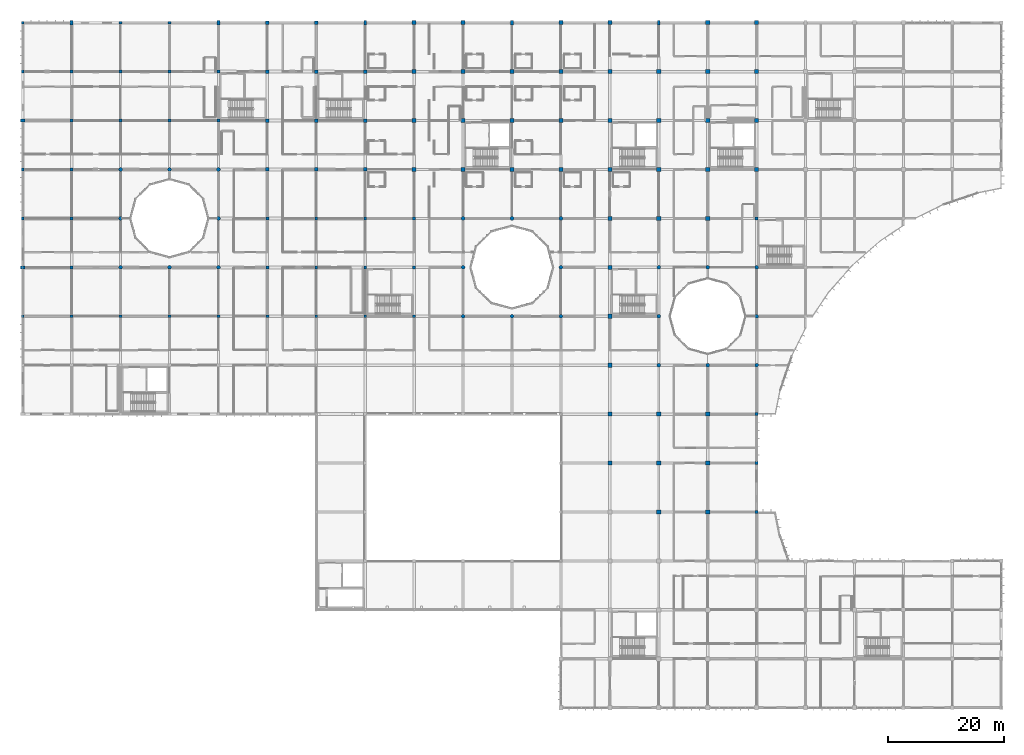
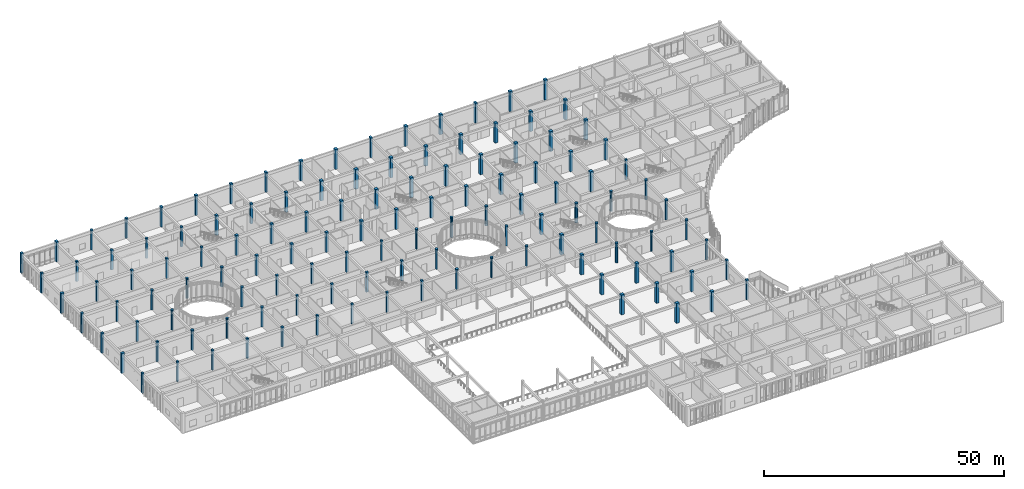
# One storey, part 7 of 134: 124 columns.
"""IFC4 building model written with IfcOpenShell, lengths in metres."""

from ifc_helpers import new_model, si_unit, direction, frame, origin, origin_2d, place, context, subcontext, project, spatial, rectangle, circle, extrude, material, material_profile, profile_set, type_object, element, save


model = new_model("IFC4")

# Units and contexts
model_context = context("Model", 3, precision=1e-05, world=origin(), true_north=direction((0.0, 1.0)))
body_context = subcontext(model_context, "Body", "Model", "MODEL_VIEW")
ifc_project = project(units=[si_unit("LENGTHUNIT", "METRE"), si_unit("AREAUNIT", "SQUARE_METRE"), si_unit("VOLUMEUNIT", "CUBIC_METRE"), si_unit("PLANEANGLEUNIT", "RADIAN"), si_unit("MASSUNIT", "GRAM", prefix="KILO")], contexts=[model_context])

# Site, building, storey
site_placement = place(None, origin())
site = spatial("IfcSite", under=ifc_project, at=site_placement, CompositionType="ELEMENT")
building_placement = place(site_placement, origin())
building = spatial("IfcBuilding", under=site, at=building_placement, Name="Bramfleet General Hospital", CompositionType="ELEMENT")
storey_placement = place(building_placement, frame((0.0, 0.0, 9.300048828125)))
storey = spatial("IfcBuildingStorey", under=building, at=storey_placement, Name="L02", CompositionType="ELEMENT", Elevation=9.300048828125)

# Columns
ifc_material = material(Name="Concrete C40/50", Category="concrete")
ifc_material_profile_1 = material_profile(ifc_material, rectangle(XDim=0.5, YDim=0.75, at=origin_2d()), Name="RC PIL 750x500")
ifc_profile_set_1 = profile_set([ifc_material_profile_1], Name="Concrete C40/50")
column_type_1 = type_object("IfcColumnType", Name="COL-PIL750", PredefinedType="PILASTER", material=ifc_profile_set_1)
for number, where, z_axis, x_axis, name in (
    (1, (0.0, 75.60009765625, 0.0), (0.0, 0.0, 1.0), (0.0, 1.0, 0.0), "Column COL-L02-00-09"),
    (2, (0.0, 100.800048828125, 0.0), (0.0, 0.0, 1.0), (0.0, 1.0, 0.0), "Column COL-L02-00-12"),
    (3, (8.39990234375, 117.60009765625, 0.0), (0.0, 0.0, 1.0), (1.0, 0.0, 0.0), "Column COL-L02-01-14"),
    (4, (33.60009765625, 117.60009765625, 0.0), (0.0, 0.0, 1.0), (1.0, 0.0, 0.0), "Column COL-L02-04-14"),
    (5, (58.800048828125, 117.60009765625, 0.0), (0.0, 0.0, 1.0), (1.0, 0.0, 0.0), "Column COL-L02-07-14"),
    (6, (84.0, 117.60009765625, 0.0), (0.0, 0.0, 1.0), (1.0, 0.0, 0.0), "Column COL-L02-10-14"),
    (7, (109.199951171875, 117.60009765625, 0.0), (0.0, 0.0, 1.0), (1.0, 0.0, 0.0), "Column COL-L02-13-14"),
):
    element("IfcColumn", number, at=place(storey_placement, frame(where, z_axis=z_axis, x_axis=x_axis)), inside=storey, type_object=column_type_1, Name=name, PredefinedType="PILASTER", context=body_context, shape_type="SweptSolid", body=[
        extrude(rectangle(XDim=0.5, YDim=0.75, at=origin_2d()), origin(), (0.0, 0.0, 1.0), 5.099853515625),
    ])
ifc_material_profile_2 = material_profile(ifc_material, rectangle(XDim=0.5, YDim=0.5, at=origin_2d()), Name="RC COL 500x500")
ifc_profile_set_2 = profile_set([ifc_material_profile_2], Name="Concrete C40/50")
column_type_2 = type_object("IfcColumnType", Name="COL-RC500", PredefinedType="COLUMN", material=ifc_profile_set_2)
for number, where, z_axis, x_axis, name in (
    (8, (0.0, 67.199951171875, 0.0), (0.0, 0.0, 1.0), (1.0, 0.0, 0.0), "Column COL-L02-00-08"),
    (9, (0.0, 84.0, 0.0), (0.0, 0.0, 1.0), (1.0, 0.0, 0.0), "Column COL-L02-00-10"),
    (10, (0.0, 92.39990234375, 0.0), (0.0, 0.0, 1.0), (1.0, 0.0, 0.0), "Column COL-L02-00-11"),
    (11, (0.0, 109.199951171875, 0.0), (0.0, 0.0, 1.0), (1.0, 0.0, 0.0), "Column COL-L02-00-13"),
    (12, (0.0, 117.60009765625, 0.0), (0.0, 0.0, 1.0), (1.0, 0.0, 0.0), "Column COL-L02-00-14"),
    (13, (8.39990234375, 67.199951171875, 0.0), (0.0, 0.0, 1.0), (1.0, 0.0, 0.0), "Column COL-L02-01-08"),
    (14, (8.39990234375, 75.60009765625, 0.0), (0.0, 0.0, 1.0), (1.0, 0.0, 0.0), "Column COL-L02-01-09"),
    (15, (8.39990234375, 84.0, 0.0), (0.0, 0.0, 1.0), (1.0, 0.0, 0.0), "Column COL-L02-01-10"),
    (16, (8.39990234375, 92.39990234375, 0.0), (0.0, 0.0, 1.0), (1.0, 0.0, 0.0), "Column COL-L02-01-11"),
    (17, (8.39990234375, 100.800048828125, 0.0), (0.0, 0.0, 1.0), (1.0, 0.0, 0.0), "Column COL-L02-01-12"),
    (18, (8.39990234375, 109.199951171875, 0.0), (0.0, 0.0, 1.0), (1.0, 0.0, 0.0), "Column COL-L02-01-13"),
    (19, (16.800048828125, 67.199951171875, 0.0), (0.0, 0.0, 1.0), (1.0, 0.0, 0.0), "Column COL-L02-02-08"),
    (20, (16.800048828125, 100.800048828125, 0.0), (0.0, 0.0, 1.0), (1.0, 0.0, 0.0), "Column COL-L02-02-12"),
    (21, (16.800048828125, 109.199951171875, 0.0), (0.0, 0.0, 1.0), (1.0, 0.0, 0.0), "Column COL-L02-02-13"),
    (22, (16.800048828125, 117.60009765625, 0.0), (0.0, 0.0, 1.0), (1.0, 0.0, 0.0), "Column COL-L02-02-14"),
    (23, (25.199951171875, 67.199951171875, 0.0), (0.0, 0.0, 1.0), (1.0, 0.0, 0.0), "Column COL-L02-03-08"),
    (24, (25.199951171875, 100.800048828125, 0.0), (0.0, 0.0, 1.0), (1.0, 0.0, 0.0), "Column COL-L02-03-12"),
    (25, (25.199951171875, 109.199951171875, 0.0), (0.0, 0.0, 1.0), (1.0, 0.0, 0.0), "Column COL-L02-03-13"),
    (26, (25.199951171875, 117.60009765625, 0.0), (0.0, 0.0, 1.0), (1.0, 0.0, 0.0), "Column COL-L02-03-14"),
    (27, (33.60009765625, 67.199951171875, 0.0), (0.0, 0.0, 1.0), (1.0, 0.0, 0.0), "Column COL-L02-04-08"),
    (28, (33.60009765625, 100.800048828125, 0.0), (0.0, 0.0, 1.0), (1.0, 0.0, 0.0), "Column COL-L02-04-12"),
    (29, (33.60009765625, 109.199951171875, 0.0), (0.0, 0.0, 1.0), (1.0, 0.0, 0.0), "Column COL-L02-04-13"),
    (30, (42.0, 67.199951171875, 0.0), (0.0, 0.0, 1.0), (1.0, 0.0, 0.0), "Column COL-L02-05-08"),
    (31, (42.0, 75.60009765625, 0.0), (0.0, 0.0, 1.0), (1.0, 0.0, 0.0), "Column COL-L02-05-09"),
    (32, (42.0, 84.0, 0.0), (0.0, 0.0, 1.0), (1.0, 0.0, 0.0), "Column COL-L02-05-10"),
    (33, (50.39990234375, 67.199951171875, 0.0), (0.0, 0.0, 1.0), (1.0, 0.0, 0.0), "Column COL-L02-06-08"),
    (34, (50.39990234375, 75.60009765625, 0.0), (0.0, 0.0, 1.0), (1.0, 0.0, 0.0), "Column COL-L02-06-09"),
    (35, (50.39990234375, 84.0, 0.0), (0.0, 0.0, 1.0), (1.0, 0.0, 0.0), "Column COL-L02-06-10"),
    (36, (58.800048828125, 67.199951171875, 0.0), (0.0, 0.0, 1.0), (1.0, 0.0, 0.0), "Column COL-L02-07-08"),
    (37, (58.800048828125, 75.60009765625, 0.0), (0.0, 0.0, 1.0), (1.0, 0.0, 0.0), "Column COL-L02-07-09"),
    (38, (58.800048828125, 84.0, 0.0), (0.0, 0.0, 1.0), (1.0, 0.0, 0.0), "Column COL-L02-07-10"),
    (39, (67.199951171875, 67.199951171875, 0.0), (0.0, 0.0, 1.0), (1.0, 0.0, 0.0), "Column COL-L02-08-08"),
    (40, (67.199951171875, 75.60009765625, 0.0), (0.0, 0.0, 1.0), (1.0, 0.0, 0.0), "Column COL-L02-08-09"),
    (41, (67.199951171875, 84.0, 0.0), (0.0, 0.0, 1.0), (1.0, 0.0, 0.0), "Column COL-L02-08-10"),
    (42, (126.0, 33.60009765625, 0.0), (0.0, 0.0, 1.0), (1.0, 0.0, 0.0), "Column COL-L02-15-04"),
    (43, (126.0, 42.0, 0.0), (0.0, 0.0, 1.0), (1.0, 0.0, 0.0), "Column COL-L02-15-05"),
    (44, (126.0, 50.39990234375, 0.0), (0.0, 0.0, 1.0), (1.0, 0.0, 0.0), "Column COL-L02-15-06"),
    (45, (126.0, 84.0, 0.0), (0.0, 0.0, 1.0), (1.0, 0.0, 0.0), "Column COL-L02-15-10"),
):
    element("IfcColumn", number, at=place(storey_placement, frame(where, z_axis=z_axis, x_axis=x_axis)), inside=storey, type_object=column_type_2, Name=name, PredefinedType="COLUMN", context=body_context, shape_type="SweptSolid", body=[
        extrude(rectangle(XDim=0.5, YDim=0.5, at=origin_2d()), origin(), (0.0, 0.0, 1.0), 5.099853515625),
    ])
ifc_material_profile_3 = material_profile(ifc_material, rectangle(XDim=0.60009765625, YDim=0.60009765625, at=origin_2d()), Name="RC COL 600x600")
ifc_profile_set_3 = profile_set([ifc_material_profile_3], Name="Concrete C40/50")
column_type_3 = type_object("IfcColumnType", Name="COL-RC600", PredefinedType="COLUMN", material=ifc_profile_set_3)
for number, where, z_axis, x_axis, name in (
    (46, (42.0, 92.39990234375, 0.0), (0.0, 0.0, 1.0), (1.0, 0.0, 0.0), "Column COL-L02-05-11"),
    (47, (42.0, 100.800048828125, 0.0), (0.0, 0.0, 1.0), (1.0, 0.0, 0.0), "Column COL-L02-05-12"),
    (48, (42.0, 109.199951171875, 0.0), (0.0, 0.0, 1.0), (1.0, 0.0, 0.0), "Column COL-L02-05-13"),
    (49, (42.0, 117.60009765625, 0.0), (0.0, 0.0, 1.0), (1.0, 0.0, 0.0), "Column COL-L02-05-14"),
    (50, (50.39990234375, 92.39990234375, 0.0), (0.0, 0.0, 1.0), (1.0, 0.0, 0.0), "Column COL-L02-06-11"),
    (51, (50.39990234375, 100.800048828125, 0.0), (0.0, 0.0, 1.0), (1.0, 0.0, 0.0), "Column COL-L02-06-12"),
    (52, (50.39990234375, 109.199951171875, 0.0), (0.0, 0.0, 1.0), (1.0, 0.0, 0.0), "Column COL-L02-06-13"),
    (53, (50.39990234375, 117.60009765625, 0.0), (0.0, 0.0, 1.0), (1.0, 0.0, 0.0), "Column COL-L02-06-14"),
    (54, (58.800048828125, 92.39990234375, 0.0), (0.0, 0.0, 1.0), (1.0, 0.0, 0.0), "Column COL-L02-07-11"),
    (55, (58.800048828125, 100.800048828125, 0.0), (0.0, 0.0, 1.0), (1.0, 0.0, 0.0), "Column COL-L02-07-12"),
    (56, (58.800048828125, 109.199951171875, 0.0), (0.0, 0.0, 1.0), (1.0, 0.0, 0.0), "Column COL-L02-07-13"),
):
    element("IfcColumn", number, at=place(storey_placement, frame(where, z_axis=z_axis, x_axis=x_axis)), inside=storey, type_object=column_type_3, Name=name, PredefinedType="COLUMN", context=body_context, shape_type="SweptSolid", body=[
        extrude(rectangle(XDim=0.60009765625, YDim=0.60009765625, at=origin_2d()), origin(), (0.0, 0.0, 1.0), 5.099853515625),
    ])
ifc_material_profile_4 = material_profile(ifc_material, rectangle(XDim=0.699951171875, YDim=0.699951171875, at=origin_2d()), Name="RC COL 700x700")
ifc_profile_set_4 = profile_set([ifc_material_profile_4], Name="Concrete C40/50")
column_type_4 = type_object("IfcColumnType", Name="COL-RC700", PredefinedType="COLUMN", material=ifc_profile_set_4)
for number, where, z_axis, x_axis, name in (
    (57, (67.199951171875, 92.39990234375, 0.0), (0.0, 0.0, 1.0), (1.0, 0.0, 0.0), "Column COL-L02-08-11"),
    (58, (67.199951171875, 100.800048828125, 0.0), (0.0, 0.0, 1.0), (1.0, 0.0, 0.0), "Column COL-L02-08-12"),
    (59, (67.199951171875, 109.199951171875, 0.0), (0.0, 0.0, 1.0), (1.0, 0.0, 0.0), "Column COL-L02-08-13"),
    (60, (67.199951171875, 117.60009765625, 0.0), (0.0, 0.0, 1.0), (1.0, 0.0, 0.0), "Column COL-L02-08-14"),
    (61, (75.60009765625, 92.39990234375, 0.0), (0.0, 0.0, 1.0), (1.0, 0.0, 0.0), "Column COL-L02-09-11"),
    (62, (75.60009765625, 100.800048828125, 0.0), (0.0, 0.0, 1.0), (1.0, 0.0, 0.0), "Column COL-L02-09-12"),
    (63, (75.60009765625, 109.199951171875, 0.0), (0.0, 0.0, 1.0), (1.0, 0.0, 0.0), "Column COL-L02-09-13"),
    (64, (75.60009765625, 117.60009765625, 0.0), (0.0, 0.0, 1.0), (1.0, 0.0, 0.0), "Column COL-L02-09-14"),
    (65, (84.0, 92.39990234375, 0.0), (0.0, 0.0, 1.0), (1.0, 0.0, 0.0), "Column COL-L02-10-11"),
    (66, (84.0, 100.800048828125, 0.0), (0.0, 0.0, 1.0), (1.0, 0.0, 0.0), "Column COL-L02-10-12"),
    (67, (84.0, 109.199951171875, 0.0), (0.0, 0.0, 1.0), (1.0, 0.0, 0.0), "Column COL-L02-10-13"),
    (68, (92.39990234375, 92.39990234375, 0.0), (0.0, 0.0, 1.0), (1.0, 0.0, 0.0), "Column COL-L02-11-11"),
    (69, (92.39990234375, 100.800048828125, 0.0), (0.0, 0.0, 1.0), (1.0, 0.0, 0.0), "Column COL-L02-11-12"),
    (70, (92.39990234375, 109.199951171875, 0.0), (0.0, 0.0, 1.0), (1.0, 0.0, 0.0), "Column COL-L02-11-13"),
    (71, (92.39990234375, 117.60009765625, 0.0), (0.0, 0.0, 1.0), (1.0, 0.0, 0.0), "Column COL-L02-11-14"),
    (72, (100.800048828125, 42.0, 0.0), (0.0, 0.0, 1.0), (1.0, 0.0, 0.0), "Column COL-L02-12-05"),
    (73, (100.800048828125, 50.39990234375, 0.0), (0.0, 0.0, 1.0), (1.0, 0.0, 0.0), "Column COL-L02-12-06"),
    (74, (100.800048828125, 58.800048828125, 0.0), (0.0, 0.0, 1.0), (1.0, 0.0, 0.0), "Column COL-L02-12-07"),
    (75, (100.800048828125, 67.199951171875, 0.0), (0.0, 0.0, 1.0), (1.0, 0.0, 0.0), "Column COL-L02-12-08"),
    (76, (100.800048828125, 75.60009765625, 0.0), (0.0, 0.0, 1.0), (1.0, 0.0, 0.0), "Column COL-L02-12-09"),
    (77, (100.800048828125, 84.0, 0.0), (0.0, 0.0, 1.0), (1.0, 0.0, 0.0), "Column COL-L02-12-10"),
    (78, (100.800048828125, 92.39990234375, 0.0), (0.0, 0.0, 1.0), (1.0, 0.0, 0.0), "Column COL-L02-12-11"),
    (79, (100.800048828125, 100.800048828125, 0.0), (0.0, 0.0, 1.0), (1.0, 0.0, 0.0), "Column COL-L02-12-12"),
    (80, (100.800048828125, 109.199951171875, 0.0), (0.0, 0.0, 1.0), (1.0, 0.0, 0.0), "Column COL-L02-12-13"),
    (81, (100.800048828125, 117.60009765625, 0.0), (0.0, 0.0, 1.0), (1.0, 0.0, 0.0), "Column COL-L02-12-14"),
    (82, (109.199951171875, 33.60009765625, 0.0), (0.0, 0.0, 1.0), (1.0, 0.0, 0.0), "Column COL-L02-13-04"),
    (83, (109.199951171875, 42.0, 0.0), (0.0, 0.0, 1.0), (1.0, 0.0, 0.0), "Column COL-L02-13-05"),
    (84, (109.199951171875, 50.39990234375, 0.0), (0.0, 0.0, 1.0), (1.0, 0.0, 0.0), "Column COL-L02-13-06"),
    (85, (109.199951171875, 84.0, 0.0), (0.0, 0.0, 1.0), (1.0, 0.0, 0.0), "Column COL-L02-13-10"),
    (86, (109.199951171875, 92.39990234375, 0.0), (0.0, 0.0, 1.0), (1.0, 0.0, 0.0), "Column COL-L02-13-11"),
    (87, (109.199951171875, 100.800048828125, 0.0), (0.0, 0.0, 1.0), (1.0, 0.0, 0.0), "Column COL-L02-13-12"),
    (88, (109.199951171875, 109.199951171875, 0.0), (0.0, 0.0, 1.0), (1.0, 0.0, 0.0), "Column COL-L02-13-13"),
    (89, (117.60009765625, 33.60009765625, 0.0), (0.0, 0.0, 1.0), (1.0, 0.0, 0.0), "Column COL-L02-14-04"),
    (90, (117.60009765625, 42.0, 0.0), (0.0, 0.0, 1.0), (1.0, 0.0, 0.0), "Column COL-L02-14-05"),
    (91, (117.60009765625, 50.39990234375, 0.0), (0.0, 0.0, 1.0), (1.0, 0.0, 0.0), "Column COL-L02-14-06"),
    (92, (117.60009765625, 84.0, 0.0), (0.0, 0.0, 1.0), (1.0, 0.0, 0.0), "Column COL-L02-14-10"),
    (93, (117.60009765625, 92.39990234375, 0.0), (0.0, 0.0, 1.0), (1.0, 0.0, 0.0), "Column COL-L02-14-11"),
    (94, (117.60009765625, 100.800048828125, 0.0), (0.0, 0.0, 1.0), (1.0, 0.0, 0.0), "Column COL-L02-14-12"),
    (95, (117.60009765625, 109.199951171875, 0.0), (0.0, 0.0, 1.0), (1.0, 0.0, 0.0), "Column COL-L02-14-13"),
    (96, (117.60009765625, 117.60009765625, 0.0), (0.0, 0.0, 1.0), (1.0, 0.0, 0.0), "Column COL-L02-14-14"),
    (97, (126.0, 92.39990234375, 0.0), (0.0, 0.0, 1.0), (1.0, 0.0, 0.0), "Column COL-L02-15-11"),
    (98, (126.0, 100.800048828125, 0.0), (0.0, 0.0, 1.0), (1.0, 0.0, 0.0), "Column COL-L02-15-12"),
    (99, (126.0, 109.199951171875, 0.0), (0.0, 0.0, 1.0), (1.0, 0.0, 0.0), "Column COL-L02-15-13"),
    (100, (126.0, 117.60009765625, 0.0), (0.0, 0.0, 1.0), (1.0, 0.0, 0.0), "Column COL-L02-15-14"),
):
    element("IfcColumn", number, at=place(storey_placement, frame(where, z_axis=z_axis, x_axis=x_axis)), inside=storey, type_object=column_type_4, Name=name, PredefinedType="COLUMN", context=body_context, shape_type="SweptSolid", body=[
        extrude(rectangle(XDim=0.699951171875, YDim=0.699951171875, at=origin_2d()), origin(), (0.0, 0.0, 1.0), 5.099853515625),
    ])
ifc_material_profile_5 = material_profile(ifc_material, circle(Radius=0.324951171875, at=origin_2d()), Name="RC ROUND D650")
ifc_profile_set_5 = profile_set([ifc_material_profile_5], Name="Concrete C40/50")
column_type_5 = type_object("IfcColumnType", Name="COL-RCD650", PredefinedType="COLUMN", material=ifc_profile_set_5)
for number, where, z_axis, x_axis, name in (
    (101, (16.800048828125, 75.60009765625, 0.0), (0.0, 0.0, 1.0), (1.0, 0.0, 0.0), "Column COL-L02-02-09"),
    (102, (16.800048828125, 84.0, 0.0), (0.0, 0.0, 1.0), (1.0, 0.0, 0.0), "Column COL-L02-02-10"),
    (103, (16.800048828125, 92.39990234375, 0.0), (0.0, 0.0, 1.0), (1.0, 0.0, 0.0), "Column COL-L02-02-11"),
    (104, (25.199951171875, 75.60009765625, 0.0), (0.0, 0.0, 1.0), (1.0, 0.0, 0.0), "Column COL-L02-03-09"),
    (105, (25.199951171875, 92.39990234375, 0.0), (0.0, 0.0, 1.0), (1.0, 0.0, 0.0), "Column COL-L02-03-11"),
    (106, (33.60009765625, 75.60009765625, 0.0), (0.0, 0.0, 1.0), (1.0, 0.0, 0.0), "Column COL-L02-04-09"),
    (107, (33.60009765625, 84.0, 0.0), (0.0, 0.0, 1.0), (1.0, 0.0, 0.0), "Column COL-L02-04-10"),
    (108, (33.60009765625, 92.39990234375, 0.0), (0.0, 0.0, 1.0), (1.0, 0.0, 0.0), "Column COL-L02-04-11"),
    (109, (75.60009765625, 67.199951171875, 0.0), (0.0, 0.0, 1.0), (1.0, 0.0, 0.0), "Column COL-L02-09-08"),
    (110, (75.60009765625, 75.60009765625, 0.0), (0.0, 0.0, 1.0), (1.0, 0.0, 0.0), "Column COL-L02-09-09"),
    (111, (75.60009765625, 84.0, 0.0), (0.0, 0.0, 1.0), (1.0, 0.0, 0.0), "Column COL-L02-09-10"),
    (112, (84.0, 67.199951171875, 0.0), (0.0, 0.0, 1.0), (1.0, 0.0, 0.0), "Column COL-L02-10-08"),
    (113, (84.0, 84.0, 0.0), (0.0, 0.0, 1.0), (1.0, 0.0, 0.0), "Column COL-L02-10-10"),
    (114, (92.39990234375, 67.199951171875, 0.0), (0.0, 0.0, 1.0), (1.0, 0.0, 0.0), "Column COL-L02-11-08"),
    (115, (92.39990234375, 75.60009765625, 0.0), (0.0, 0.0, 1.0), (1.0, 0.0, 0.0), "Column COL-L02-11-09"),
    (116, (92.39990234375, 84.0, 0.0), (0.0, 0.0, 1.0), (1.0, 0.0, 0.0), "Column COL-L02-11-10"),
    (117, (109.199951171875, 58.800048828125, 0.0), (0.0, 0.0, 1.0), (1.0, 0.0, 0.0), "Column COL-L02-13-07"),
    (118, (109.199951171875, 67.199951171875, 0.0), (0.0, 0.0, 1.0), (1.0, 0.0, 0.0), "Column COL-L02-13-08"),
    (119, (109.199951171875, 75.60009765625, 0.0), (0.0, 0.0, 1.0), (1.0, 0.0, 0.0), "Column COL-L02-13-09"),
    (120, (117.60009765625, 58.800048828125, 0.0), (0.0, 0.0, 1.0), (1.0, 0.0, 0.0), "Column COL-L02-14-07"),
    (121, (117.60009765625, 75.60009765625, 0.0), (0.0, 0.0, 1.0), (1.0, 0.0, 0.0), "Column COL-L02-14-09"),
    (122, (126.0, 58.800048828125, 0.0), (0.0, 0.0, 1.0), (1.0, 0.0, 0.0), "Column COL-L02-15-07"),
    (123, (126.0, 67.199951171875, 0.0), (0.0, 0.0, 1.0), (1.0, 0.0, 0.0), "Column COL-L02-15-08"),
    (124, (126.0, 75.60009765625, 0.0), (0.0, 0.0, 1.0), (1.0, 0.0, 0.0), "Column COL-L02-15-09"),
):
    element("IfcColumn", number, at=place(storey_placement, frame(where, z_axis=z_axis, x_axis=x_axis)), inside=storey, type_object=column_type_5, Name=name, PredefinedType="COLUMN", context=body_context, shape_type="SweptSolid", body=[
        extrude(circle(Radius=0.324951171875, at=origin_2d()), origin(), (0.0, 0.0, 1.0), 5.099853515625),
    ])

save(model, "model.ifc")
